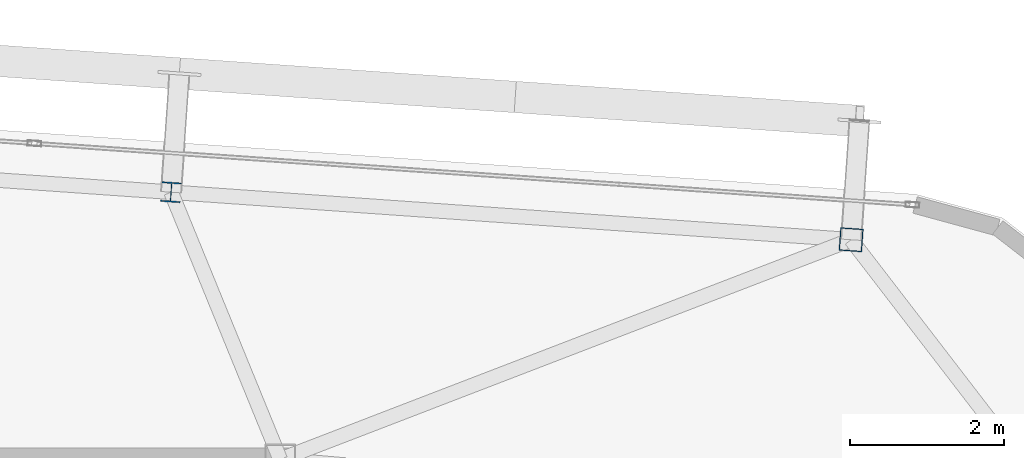
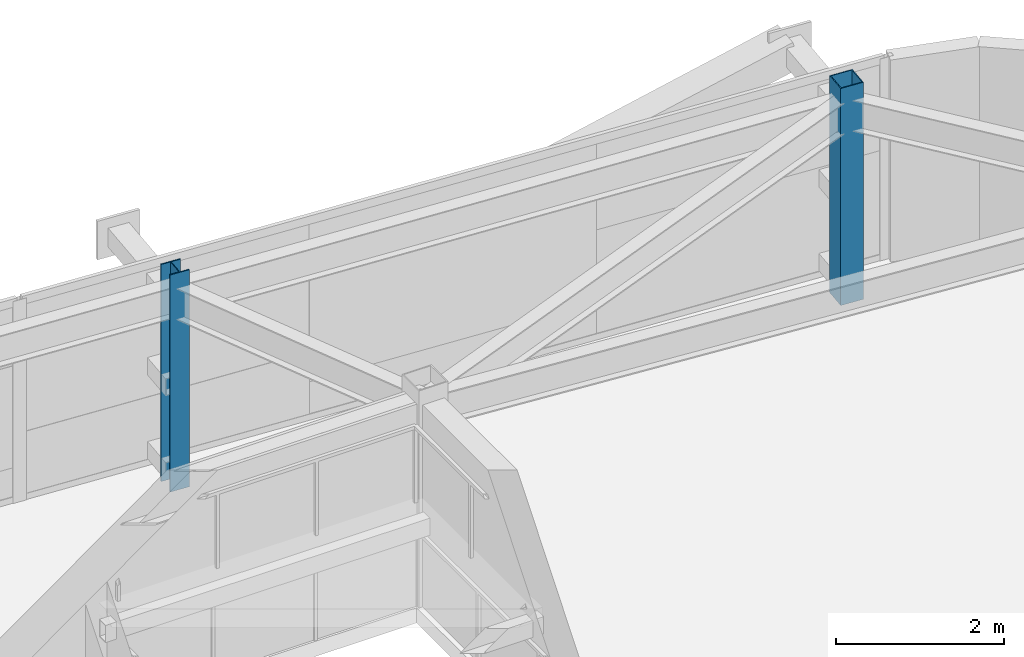
# One storey, part 5 of 39: 2 columns.
"""IFC4 building model written with IfcOpenShell, lengths in metres."""

from ifc_helpers import new_model, si_unit, direction, frame, origin, origin_2d, place, context, subcontext, project, spatial, hollow_rectangle, i_section, extrude, source, transform, mapped, material, material_profile, profile_set, type_object, element, save


model = new_model("IFC4")

# Units and contexts
model_context = context("Model", 3, precision=1e-05, world=origin(), true_north=direction((0.0, 1.0)))
body_context = subcontext(model_context, "Body", "Model", "MODEL_VIEW")
ifc_project = project(units=[si_unit("LENGTHUNIT", "METRE"), si_unit("AREAUNIT", "SQUARE_METRE"), si_unit("VOLUMEUNIT", "CUBIC_METRE"), si_unit("PLANEANGLEUNIT", "RADIAN"), si_unit("MASSUNIT", "GRAM", prefix="KILO")], contexts=[model_context])

# Site, building, storey
site_placement = place(None, origin())
site = spatial("IfcSite", under=ifc_project, at=site_placement, CompositionType="ELEMENT")
building_placement = place(site_placement, origin())
building = spatial("IfcBuilding", under=site, at=building_placement, Name="Taldren Reach Tower", CompositionType="ELEMENT")
storey_placement = place(building_placement, frame((0.0, 0.0, 133.0)))
storey = spatial("IfcBuildingStorey", under=building, at=storey_placement, Name="L40", CompositionType="ELEMENT", Elevation=133.0)

# Columns
ifc_material_1 = material(Name="Steel Gr 450 (C450L0)", Category="steel")
ifc_material_profile_1 = material_profile(ifc_material_1, hollow_rectangle(XDim=0.300048828125, YDim=0.300048828125, WallThickness=0.012451171875, at=origin_2d()), Name="300x300x12.5SHS")
ifc_profile_set_1 = profile_set([ifc_material_profile_1], Name="Steel Gr 450 (C450L0)")
column_type_1 = type_object("IfcColumnType", Name="COL-SHS300", PredefinedType="COLUMN", material=ifc_profile_set_1)
shared_shape_1 = source(origin(), body_context, "Body", "SweptSolid", [
    extrude(hollow_rectangle(XDim=0.300048828125, YDim=0.300048828125, WallThickness=0.012451171875, at=origin_2d()), origin(), (0.0, 0.0, 1.0), 3.14990234375),
])
column_1_placement = place(storey_placement, frame((58.4365234375, 34.861572265625, 0.0), z_axis=(0.0, 0.0, 1.0), x_axis=(0.99756405026, -0.069756473744, 0.0)))
element("IfcColumn", 1, at=column_1_placement, inside=storey, type_object=column_type_1, Name="Block B3 perimeter column N6 L40", PredefinedType="COLUMN", context=body_context, shape_type="MappedRepresentation", body=[
    mapped(shared_shape_1, transform((0.0, 0.0, 0.0), scale=1.0)),
])
ifc_material_2 = material(Name="Steel Gr 350 (350PLUS)", Category="steel")
ifc_material_profile_2 = material_profile(ifc_material_2, i_section(OverallWidth=0.256103515625, OverallDepth=0.260009765625, WebThickness=0.010498046875, FlangeThickness=0.017333984375, at=origin_2d()), Name="250UC89.5")
ifc_profile_set_2 = profile_set([ifc_material_profile_2], Name="Steel Gr 350 (350PLUS)")
column_type_2 = type_object("IfcColumnType", Name="COL-UC250", PredefinedType="COLUMN", material=ifc_profile_set_2)
shared_shape_2 = source(origin(), body_context, "Body", "SweptSolid", [
    extrude(i_section(OverallWidth=0.256103515625, OverallDepth=0.260009765625, WebThickness=0.010498046875, FlangeThickness=0.017333984375, at=origin_2d()), origin(), (0.0, 0.0, 1.0), 3.14990234375),
])
column_2_placement = place(storey_placement, frame((49.578125, 35.48095703125, 0.0), z_axis=(0.0, 0.0, 1.0), x_axis=(0.99756405026, -0.069756473744, 0.0)))
element("IfcColumn", 2, at=column_2_placement, inside=storey, type_object=column_type_2, Name="Block B3 perimeter column N5 L40", PredefinedType="COLUMN", context=body_context, shape_type="MappedRepresentation", body=[
    mapped(shared_shape_2, transform((0.0, 0.0, 0.0), scale=1.0)),
])

save(model, "model.ifc")
